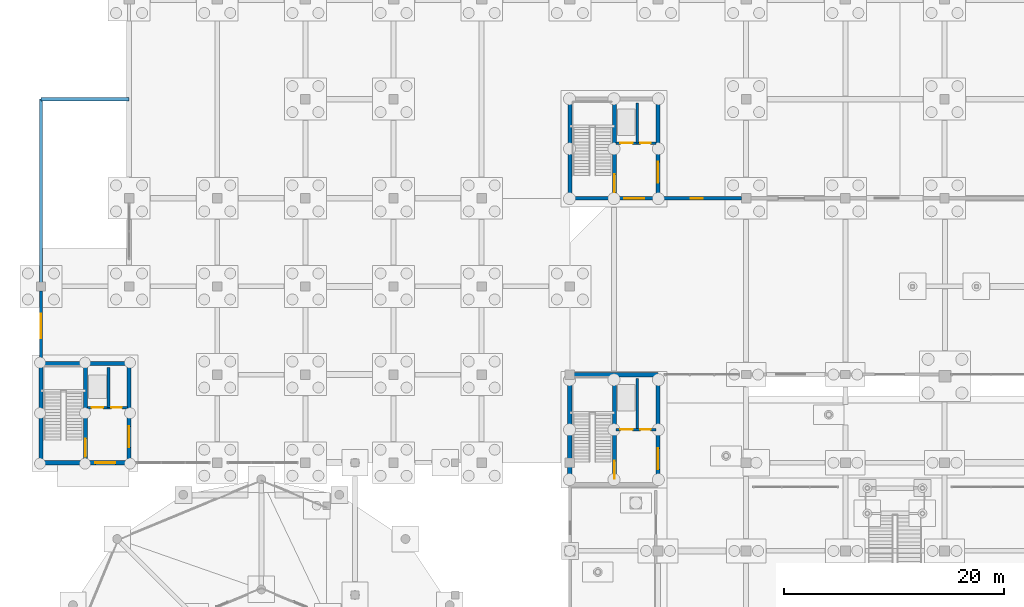
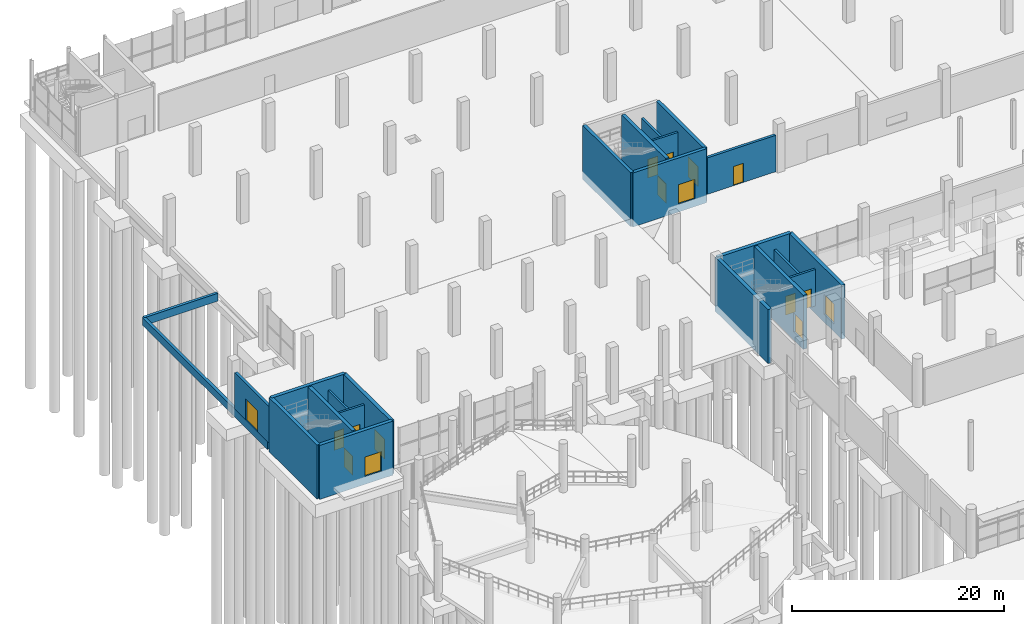
# One storey, part 75 of 98: 23 walls, 16 doors, 16 openings.
"""IFC4 building model written with IfcOpenShell, lengths in metres."""

from ifc_helpers import new_model, si_unit, derived_unit, direction, frame, frame_2d, origin, place, context, subcontext, project, spatial, rectangle, extrude, material, layer, layer_set, type_object, element, fill, save


model = new_model("IFC4")

# Units and contexts
model_context = context("Model", 3, precision=1e-05, world=origin(), true_north=direction((0.0, 1.0)))
body_context = subcontext(model_context, "Body", "Model", "MODEL_VIEW")
ifc_project = project(units=[si_unit("LENGTHUNIT", "METRE"), si_unit("AREAUNIT", "SQUARE_METRE"), si_unit("VOLUMEUNIT", "CUBIC_METRE"), si_unit("PLANEANGLEUNIT", "RADIAN"), si_unit("MASSUNIT", "GRAM", prefix="KILO"), si_unit("THERMODYNAMICTEMPERATUREUNIT", "KELVIN"), derived_unit("THERMALTRANSMITTANCEUNIT", [(si_unit("POWERUNIT", "WATT"), 1), (si_unit("AREAUNIT", "SQUARE_METRE"), -1), (si_unit("THERMODYNAMICTEMPERATUREUNIT", "KELVIN"), -1)])], contexts=[model_context])

# Site, building, storey
site_placement = place(None, origin())
site = spatial("IfcSite", under=ifc_project, at=site_placement, CompositionType="ELEMENT")
building_placement = place(site_placement, origin())
building = spatial("IfcBuilding", under=site, at=building_placement, Name="Haiyu Intermodal Mobility Hub", CompositionType="ELEMENT")
storey_placement = place(building_placement, origin())
storey = spatial("IfcBuildingStorey", under=building, at=storey_placement, Name="L00", CompositionType="ELEMENT", Elevation=0.0)

# Walls
ifc_material_1 = material(Name="Precast concrete C40", Category="concrete")
ifc_layer_1 = layer(ifc_material_1, 0.300048828125)
ifc_layer_set_1 = layer_set([ifc_layer_1], Name="Precast concrete C40")
wall_type_1 = type_object("IfcWallType", Name="WAL-WE01", PredefinedType="STANDARD", material=ifc_layer_set_1)
wall_1_placement = place(storey_placement, frame((14.0, 89.39990234375, -0.89990234375), z_axis=(0.0, 0.0, 1.0), x_axis=(0.0, 1.0, 0.0)))
element("IfcWall", 1, at=wall_1_placement, inside=storey, type_object=wall_type_1, Name="Flood Plinth Retaining Wall PLN-W1B", PredefinedType="STANDARD", context=body_context, shape_type="SweptSolid", body=[
    extrude(rectangle(XDim=23.60009765625, YDim=0.300048828125, at=frame_2d((11.800048828125, 0.0))), origin(), (0.0, 0.0, 1.0), 0.89990234375),
])
wall_2_placement = place(storey_placement, frame((14.0, 113.0, -0.89990234375), z_axis=(0.0, 0.0, 1.0), x_axis=(1.0, 0.0, 0.0)))
element("IfcWall", 2, at=wall_2_placement, inside=storey, type_object=wall_type_1, Name="Flood Plinth Retaining Wall PLN-WN1", PredefinedType="STANDARD", context=body_context, shape_type="SweptSolid", body=[
    extrude(rectangle(XDim=8.0, YDim=0.300048828125, at=frame_2d((4.0, 0.0))), origin(), (0.0, 0.0, 1.0), 0.89990234375),
])

# Wall, opening, door
ifc_material_2 = material(Name="Anodised aluminium 6063-T6", Category="aluminium")
ifc_layer_2 = layer(ifc_material_2, 0.280029296875)
ifc_layer_set_2 = layer_set([ifc_layer_2], Name="Anodised aluminium 6063-T6")
wall_type_2 = type_object("IfcWallType", Name="WAL-WE02", PredefinedType="STANDARD", material=ifc_layer_set_2)
wall_3_placement = place(storey_placement, frame((14.0, 95.594970703125, 0.0), z_axis=(0.0, 0.0, 1.0), x_axis=(0.0, -1.0, 0.0)))
wall_3 = element("IfcWall", 3, at=wall_3_placement, inside=storey, type_object=wall_type_2, Name="WAL-V4WW-L00-095", PredefinedType="STANDARD", context=body_context, shape_type="SweptSolid", body=[
    extrude(rectangle(XDim=6.455078125, YDim=0.280029296875, at=frame_2d((3.2275390625, 0.0))), origin(), (0.0, 0.0, 1.0), 4.199951171875),
])
opening_1_placement = place(wall_3_placement, frame((2.094970703125, 0.0, 0.0)))
opening_1 = element("IfcOpeningElement", 4, at=opening_1_placement, cuts=wall_3, Name="Opening DE02", PredefinedType="OPENING", context=body_context, shape_type="SweptSolid", body=[
    extrude(rectangle(XDim=2.199951171875, YDim=2.39990234375, at=frame_2d((1.10009765625, 1.199951171875))), frame((0.0, 0.14990234375, 0.0), z_axis=(0.0, -1.0, 0.0), x_axis=(1.0, 0.0, 0.0)), (0.0, 0.0, 1.0), 0.300048828125),
])
door_type_1 = type_object("IfcDoorType", Name="DR-DE02", OperationType="DOUBLE_DOOR_SLIDING", PredefinedType="DOOR", material=ifc_material_2)
door_1_placement = place(opening_1_placement, origin())
door_1 = element("IfcDoor", 5, at=door_1_placement, inside=storey, type_object=door_type_1, Name="WAL-V4WW-L00-095-DR01", OperationType="SINGLE_SWING_LEFT", OverallHeight=2.39990234375, OverallWidth=2.199951171875, PredefinedType="DOOR", context=body_context, shape_type="SweptSolid", body=[
    extrude(rectangle(XDim=2.199951171875, YDim=2.39990234375, at=frame_2d((1.10009765625, 1.199951171875))), frame((0.0, 0.02490234375, 0.0), z_axis=(0.0, -1.0, 0.0), x_axis=(1.0, 0.0, 0.0)), (0.0, 0.0, 1.0), 0.050048828125),
])
fill(opening_1, door_1)

wall_4_placement = place(storey_placement, frame((70.139892578125, 104.0, 0.0), z_axis=(0.0, 0.0, 1.0), x_axis=(1.0, 0.0, 0.0)))
wall_4 = element("IfcWall", 6, at=wall_4_placement, inside=storey, type_object=wall_type_2, Name="WAL-V4S-L00-108", PredefinedType="STANDARD", context=body_context, shape_type="SweptSolid", body=[
    extrude(rectangle(XDim=7.455078125, YDim=0.280029296875, at=frame_2d((3.7275390625, 0.0))), origin(), (0.0, 0.0, 1.0), 4.199951171875),
])
opening_2_placement = place(wall_4_placement, frame((2.81005859375, 0.0, 0.0)))
opening_2 = element("IfcOpeningElement", 7, at=opening_2_placement, cuts=wall_4, Name="Opening DE06", PredefinedType="OPENING", context=body_context, shape_type="SweptSolid", body=[
    extrude(rectangle(XDim=1.10009765625, YDim=2.199951171875, at=frame_2d((0.550048828125, 1.10009765625))), frame((0.0, 0.14990234375, 0.0), z_axis=(0.0, -1.0, 0.0), x_axis=(1.0, 0.0, 0.0)), (0.0, 0.0, 1.0), 0.300048828125),
])
door_type_2 = type_object("IfcDoorType", Name="DR-DE06", OperationType="NOTDEFINED", PredefinedType="DOOR", material=ifc_material_2)
door_2_placement = place(opening_2_placement, origin())
door_2 = element("IfcDoor", 8, at=door_2_placement, inside=storey, type_object=door_type_2, Name="WAL-V4S-L00-108-DR01", OperationType="ROLLINGUP", OverallHeight=2.199951171875, OverallWidth=1.10009765625, PredefinedType="DOOR", context=body_context, shape_type="SweptSolid", body=[
    extrude(rectangle(XDim=1.10009765625, YDim=2.199951171875, at=frame_2d((0.550048828125, 1.10009765625))), frame((0.0, 0.02490234375, 0.0), z_axis=(0.0, -1.0, 0.0), x_axis=(1.0, 0.0, 0.0)), (0.0, 0.0, 1.0), 0.050048828125),
])
fill(opening_2, door_2)

# Wall
ifc_material_3 = material(Name="Autoclaved aerated concrete block A5.0", Category="concrete")
ifc_layer_3 = layer(ifc_material_3, 0.22998046875)
ifc_layer_set_3 = layer_set([ifc_layer_3], Name="Autoclaved aerated concrete block A5.0")
wall_type_3 = type_object("IfcWallType", Name="WAL-WI01", PredefinedType="PARTITIONING", material=ifc_layer_set_3)
wall_5_placement = place(storey_placement, frame((68.1298828125, 83.0, 0.0), z_axis=(0.0, 0.0, 1.0), x_axis=(0.0, 1.0, 0.0)))
element("IfcWall", 9, at=wall_5_placement, inside=storey, type_object=wall_type_3, Name="WAL-CORE-C1-LSH-L00", PredefinedType="PARTITIONING", context=body_context, shape_type="SweptSolid", body=[
    extrude(rectangle(XDim=4.64990234375, YDim=0.22998046875, at=frame_2d((2.324951171875, 0.0))), origin(), (0.0, 0.0, 1.0), 4.199951171875),
])

# Wall, openings, doors
wall_6_placement = place(storey_placement, frame((66.2099609375, 83.0, 0.0), z_axis=(0.0, 0.0, 1.0), x_axis=(1.0, 0.0, 0.0)))
wall_6 = element("IfcWall", 10, at=wall_6_placement, inside=storey, type_object=wall_type_3, Name="WAL-CORE-C1-LFT-L00", PredefinedType="PARTITIONING", context=body_context, shape_type="SweptSolid", body=[
    extrude(rectangle(XDim=3.630126953125, YDim=0.22998046875, at=frame_2d((1.81494140625, 0.0))), origin(), (0.0, 0.0, 1.0), 4.199951171875),
])
opening_3_placement = place(wall_6_placement, frame((0.3798828125, 0.0, 0.0)))
opening_3 = element("IfcOpeningElement", 11, at=opening_3_placement, cuts=wall_6, Name="Opening LD01", PredefinedType="OPENING", context=body_context, shape_type="SweptSolid", body=[
    extrude(rectangle(XDim=1.10009765625, YDim=2.14990234375, at=frame_2d((0.550048828125, 1.074951171875))), frame((0.0, 0.125, 0.0), z_axis=(0.0, -1.0, 0.0), x_axis=(1.0, 0.0, 0.0)), (0.0, 0.0, 1.0), 0.25),
])
opening_4_placement = place(wall_6_placement, frame((2.179931640625, 0.0, 0.0)))
opening_4 = element("IfcOpeningElement", 12, at=opening_4_placement, cuts=wall_6, Name="Opening DI07", PredefinedType="OPENING", context=body_context, shape_type="SweptSolid", body=[
    extrude(rectangle(XDim=0.949951171875, YDim=2.10009765625, at=frame_2d((0.47509765625, 1.050048828125))), frame((0.0, 0.125, 0.0), z_axis=(0.0, -1.0, 0.0), x_axis=(1.0, 0.0, 0.0)), (0.0, 0.0, 1.0), 0.25),
])
ifc_material_4 = material(Name="Steel Q355C", Category="steel")
door_type_3 = type_object("IfcDoorType", Name="DR-DI07", OperationType="NOTDEFINED", PredefinedType="DOOR", material=ifc_material_4)
door_3_placement = place(opening_4_placement, origin())
door_3 = element("IfcDoor", 13, at=door_3_placement, inside=storey, type_object=door_type_3, Name="Core C1 Accessible WC Door L00", OperationType="SINGLE_SWING_RIGHT", OverallHeight=2.10009765625, OverallWidth=0.949951171875, PredefinedType="DOOR", context=body_context, shape_type="SweptSolid", body=[
    extrude(rectangle(XDim=0.949951171875, YDim=2.10009765625, at=frame_2d((0.47509765625, 1.050048828125))), frame((0.0, 0.02490234375, 0.0), z_axis=(0.0, -1.0, 0.0), x_axis=(1.0, 0.0, 0.0)), (0.0, 0.0, 1.0), 0.050048828125),
])
fill(opening_4, door_3)
door_type_4 = type_object("IfcDoorType", Name="DR-LD01", OperationType="DOUBLE_DOOR_SLIDING", PredefinedType="DOOR", material=ifc_material_4)
door_4_placement = place(opening_3_placement, origin())
door_4 = element("IfcDoor", 14, at=door_4_placement, inside=storey, type_object=door_type_4, Name="Lift FL-01 Sliding Landing Door L00", OperationType="SLIDING_TO_LEFT", OverallHeight=2.14990234375, OverallWidth=1.10009765625, PredefinedType="DOOR", context=body_context, shape_type="SweptSolid", body=[
    extrude(rectangle(XDim=1.10009765625, YDim=2.14990234375, at=frame_2d((0.550048828125, 1.074951171875))), frame((0.0, 0.02490234375, 0.0), z_axis=(0.0, -1.0, 0.0), x_axis=(1.0, 0.0, 0.0)), (0.0, 0.0, 1.0), 0.050048828125),
])
fill(opening_3, door_4)

# Wall
wall_7_placement = place(storey_placement, frame((68.1298828125, 109.0, 0.0), z_axis=(0.0, 0.0, 1.0), x_axis=(0.0, 1.0, 0.0)))
element("IfcWall", 15, at=wall_7_placement, inside=storey, type_object=wall_type_3, Name="WAL-CORE-C5-LSH-L00", PredefinedType="PARTITIONING", context=body_context, shape_type="SweptSolid", body=[
    extrude(rectangle(XDim=3.64990234375, YDim=0.22998046875, at=frame_2d((1.824951171875, 0.0))), origin(), (0.0, 0.0, 1.0), 4.199951171875),
])

# Wall, openings, doors
wall_8_placement = place(storey_placement, frame((66.2099609375, 109.0, 0.0), z_axis=(0.0, 0.0, 1.0), x_axis=(1.0, 0.0, 0.0)))
wall_8 = element("IfcWall", 16, at=wall_8_placement, inside=storey, type_object=wall_type_3, Name="WAL-CORE-C5-LFT-L00", PredefinedType="PARTITIONING", context=body_context, shape_type="SweptSolid", body=[
    extrude(rectangle(XDim=3.630126953125, YDim=0.22998046875, at=frame_2d((1.81494140625, 0.0))), origin(), (0.0, 0.0, 1.0), 4.199951171875),
])
opening_5_placement = place(wall_8_placement, frame((0.3798828125, 0.0, 0.0)))
opening_5 = element("IfcOpeningElement", 17, at=opening_5_placement, cuts=wall_8, Name="Opening LD01", PredefinedType="OPENING", context=body_context, shape_type="SweptSolid", body=[
    extrude(rectangle(XDim=1.10009765625, YDim=2.14990234375, at=frame_2d((0.550048828125, 1.074951171875))), frame((0.0, 0.125, 0.0), z_axis=(0.0, -1.0, 0.0), x_axis=(1.0, 0.0, 0.0)), (0.0, 0.0, 1.0), 0.25),
])
opening_6_placement = place(wall_8_placement, frame((2.179931640625, 0.0, 0.0)))
opening_6 = element("IfcOpeningElement", 18, at=opening_6_placement, cuts=wall_8, Name="Opening DI07", PredefinedType="OPENING", context=body_context, shape_type="SweptSolid", body=[
    extrude(rectangle(XDim=0.949951171875, YDim=2.10009765625, at=frame_2d((0.47509765625, 1.050048828125))), frame((0.0, 0.125, 0.0), z_axis=(0.0, -1.0, 0.0), x_axis=(1.0, 0.0, 0.0)), (0.0, 0.0, 1.0), 0.25),
])
door_5_placement = place(opening_6_placement, origin())
door_5 = element("IfcDoor", 19, at=door_5_placement, inside=storey, type_object=door_type_3, Name="Core C5 Accessible WC Door L00", OperationType="SINGLE_SWING_RIGHT", OverallHeight=2.10009765625, OverallWidth=0.949951171875, PredefinedType="DOOR", context=body_context, shape_type="SweptSolid", body=[
    extrude(rectangle(XDim=0.949951171875, YDim=2.10009765625, at=frame_2d((0.47509765625, 1.050048828125))), frame((0.0, 0.02490234375, 0.0), z_axis=(0.0, -1.0, 0.0), x_axis=(1.0, 0.0, 0.0)), (0.0, 0.0, 1.0), 0.050048828125),
])
fill(opening_6, door_5)
door_6_placement = place(opening_5_placement, origin())
door_6 = element("IfcDoor", 20, at=door_6_placement, inside=storey, type_object=door_type_4, Name="Lift FL-02 Sliding Landing Door L00", OperationType="SLIDING_TO_LEFT", OverallHeight=2.14990234375, OverallWidth=1.10009765625, PredefinedType="DOOR", context=body_context, shape_type="SweptSolid", body=[
    extrude(rectangle(XDim=1.10009765625, YDim=2.14990234375, at=frame_2d((0.550048828125, 1.074951171875))), frame((0.0, 0.02490234375, 0.0), z_axis=(0.0, -1.0, 0.0), x_axis=(1.0, 0.0, 0.0)), (0.0, 0.0, 1.0), 0.050048828125),
])
fill(opening_5, door_6)

# Wall
wall_9_placement = place(storey_placement, frame((20.1298828125, 85.0, 0.0), z_axis=(0.0, 0.0, 1.0), x_axis=(0.0, 1.0, 0.0)))
element("IfcWall", 21, at=wall_9_placement, inside=storey, type_object=wall_type_3, Name="WAL-CORE-C7-LSH-L00", PredefinedType="PARTITIONING", context=body_context, shape_type="SweptSolid", body=[
    extrude(rectangle(XDim=3.64990234375, YDim=0.22998046875, at=frame_2d((1.824951171875, 0.0))), origin(), (0.0, 0.0, 1.0), 4.199951171875),
])

# Wall, openings, doors
wall_10_placement = place(storey_placement, frame((18.2099609375, 85.0, 0.0), z_axis=(0.0, 0.0, 1.0), x_axis=(1.0, 0.0, 0.0)))
wall_10 = element("IfcWall", 22, at=wall_10_placement, inside=storey, type_object=wall_type_3, Name="WAL-CORE-C7-LFT-L00", PredefinedType="PARTITIONING", context=body_context, shape_type="SweptSolid", body=[
    extrude(rectangle(XDim=3.630126953125, YDim=0.22998046875, at=frame_2d((1.81494140625, 0.0))), origin(), (0.0, 0.0, 1.0), 4.199951171875),
])
opening_7_placement = place(wall_10_placement, frame((0.3798828125, 0.0, 0.0)))
opening_7 = element("IfcOpeningElement", 23, at=opening_7_placement, cuts=wall_10, Name="Opening LD02", PredefinedType="OPENING", context=body_context, shape_type="SweptSolid", body=[
    extrude(rectangle(XDim=1.050048828125, YDim=2.14990234375, at=frame_2d((0.52490234375, 1.074951171875))), frame((0.0, 0.125, 0.0), z_axis=(0.0, -1.0, 0.0), x_axis=(1.0, 0.0, 0.0)), (0.0, 0.0, 1.0), 0.25),
])
opening_8_placement = place(wall_10_placement, frame((2.179931640625, 0.0, 0.0)))
opening_8 = element("IfcOpeningElement", 24, at=opening_8_placement, cuts=wall_10, Name="Opening DI07", PredefinedType="OPENING", context=body_context, shape_type="SweptSolid", body=[
    extrude(rectangle(XDim=0.949951171875, YDim=2.10009765625, at=frame_2d((0.47509765625, 1.050048828125))), frame((0.0, 0.125, 0.0), z_axis=(0.0, -1.0, 0.0), x_axis=(1.0, 0.0, 0.0)), (0.0, 0.0, 1.0), 0.25),
])
door_7_placement = place(opening_8_placement, origin())
door_7 = element("IfcDoor", 25, at=door_7_placement, inside=storey, type_object=door_type_3, Name="Core C7 Accessible WC Door L00", OperationType="SINGLE_SWING_RIGHT", OverallHeight=2.10009765625, OverallWidth=0.949951171875, PredefinedType="DOOR", context=body_context, shape_type="SweptSolid", body=[
    extrude(rectangle(XDim=0.949951171875, YDim=2.10009765625, at=frame_2d((0.47509765625, 1.050048828125))), frame((0.0, 0.02490234375, 0.0), z_axis=(0.0, -1.0, 0.0), x_axis=(1.0, 0.0, 0.0)), (0.0, 0.0, 1.0), 0.050048828125),
])
fill(opening_8, door_7)
door_type_5 = type_object("IfcDoorType", Name="DR-LD02", OperationType="DOUBLE_DOOR_SLIDING", PredefinedType="DOOR", material=ifc_material_4)
door_8_placement = place(opening_7_placement, origin())
door_8 = element("IfcDoor", 26, at=door_8_placement, inside=storey, type_object=door_type_5, Name="Lift PL-02 Sliding Landing Door L00", OperationType="SLIDING_TO_LEFT", OverallHeight=2.14990234375, OverallWidth=1.050048828125, PredefinedType="DOOR", context=body_context, shape_type="SweptSolid", body=[
    extrude(rectangle(XDim=1.050048828125, YDim=2.14990234375, at=frame_2d((0.52490234375, 1.074951171875))), frame((0.0, 0.02490234375, 0.0), z_axis=(0.0, -1.0, 0.0), x_axis=(1.0, 0.0, 0.0)), (0.0, 0.0, 1.0), 0.050048828125),
])
fill(opening_7, door_8)

# Wall, opening, door
ifc_material_5 = material(Name="Concrete C40", Category="concrete")
ifc_layer_4 = layer(ifc_material_5, 0.39990234375)
ifc_layer_set_4 = layer_set([ifc_layer_4], Name="Concrete C40")
wall_type_4 = type_object("IfcWallType", Name="WAL-WS01", PredefinedType="SHEAR", material=ifc_layer_set_4)
wall_11_placement = place(storey_placement, frame((70.0, 78.0, -0.89990234375), z_axis=(0.0, 0.0, 1.0), x_axis=(0.0, 1.0, 0.0)))
wall_11 = element("IfcWall", 27, at=wall_11_placement, inside=storey, type_object=wall_type_4, Name="WAL-CORE-C1-E-L00", PredefinedType="SHEAR", context=body_context, shape_type="SweptSolid", body=[
    extrude(rectangle(XDim=10.0, YDim=0.39990234375, at=frame_2d((5.0, 0.0))), origin(), (0.0, 0.0, 1.0), 6.219970703125),
])
opening_9_placement = place(wall_11_placement, frame((1.39990234375, 0.0, 0.89990234375)))
opening_9 = element("IfcOpeningElement", 28, at=opening_9_placement, cuts=wall_11, Name="Opening DI01", PredefinedType="OPENING", context=body_context, shape_type="SweptSolid", body=[
    extrude(rectangle(XDim=1.89990234375, YDim=2.300048828125, at=frame_2d((0.949951171875, 1.14990234375))), frame((0.0, 0.2099609375, 0.0), z_axis=(0.0, -1.0, 0.0), x_axis=(1.0, 0.0, 0.0)), (0.0, 0.0, 1.0), 0.419921875),
])
door_type_6 = type_object("IfcDoorType", Name="DR-DI01", OperationType="DOUBLE_DOOR_SINGLE_SWING", PredefinedType="DOOR", material=ifc_material_4)
door_9_placement = place(opening_9_placement, origin())
door_9 = element("IfcDoor", 29, at=door_9_placement, inside=storey, type_object=door_type_6, Name="Core C1 Lobby Fire Door L00", OperationType="SINGLE_SWING_LEFT", OverallHeight=2.300048828125, OverallWidth=1.89990234375, PredefinedType="DOOR", context=body_context, shape_type="SweptSolid", body=[
    extrude(rectangle(XDim=1.89990234375, YDim=2.300048828125, at=frame_2d((0.949951171875, 1.14990234375))), frame((0.0, 0.02490234375, 0.0), z_axis=(0.0, -1.0, 0.0), x_axis=(1.0, 0.0, 0.0)), (0.0, 0.0, 1.0), 0.050048828125),
])
fill(opening_9, door_9)

# Walls
wall_12_placement = place(storey_placement, frame((70.0, 88.0, -0.89990234375), z_axis=(0.0, 0.0, 1.0), x_axis=(-1.0, 0.0, 0.0)))
element("IfcWall", 30, at=wall_12_placement, inside=storey, type_object=wall_type_4, Name="WAL-CORE-C1-N-L00", PredefinedType="SHEAR", context=body_context, shape_type="SweptSolid", body=[
    extrude(rectangle(XDim=8.0, YDim=0.39990234375, at=frame_2d((4.0, 0.0))), origin(), (0.0, 0.0, 1.0), 6.219970703125),
])
wall_13_placement = place(storey_placement, frame((62.0, 88.0, -0.89990234375), z_axis=(0.0, 0.0, 1.0), x_axis=(0.0, -1.0, 0.0)))
element("IfcWall", 31, at=wall_13_placement, inside=storey, type_object=wall_type_4, Name="WAL-CORE-C1-W-L00", PredefinedType="SHEAR", context=body_context, shape_type="SweptSolid", body=[
    extrude(rectangle(XDim=10.0, YDim=0.39990234375, at=frame_2d((5.0, 0.0))), origin(), (0.0, 0.0, 1.0), 6.219970703125),
])

# Wall, opening, door
ifc_layer_5 = layer(ifc_material_5, 0.35009765625)
ifc_layer_set_5 = layer_set([ifc_layer_5], Name="Concrete C40")
wall_type_5 = type_object("IfcWallType", Name="WAL-WS02", PredefinedType="SHEAR", material=ifc_layer_set_5)
wall_14_placement = place(storey_placement, frame((62.0, 104.0, -0.89990234375), z_axis=(0.0, 0.0, 1.0), x_axis=(1.0, 0.0, 0.0)))
wall_14 = element("IfcWall", 32, at=wall_14_placement, inside=storey, type_object=wall_type_5, Name="WAL-CORE-C5-S-L00", PredefinedType="SHEAR", context=body_context, shape_type="SweptSolid", body=[
    extrude(rectangle(XDim=8.0, YDim=0.35009765625, at=frame_2d((4.0, 0.0))), origin(), (0.0, 0.0, 1.0), 6.219970703125),
])
opening_10_placement = place(wall_14_placement, frame((4.949951171875, 0.0, 0.89990234375)))
opening_10 = element("IfcOpeningElement", 33, at=opening_10_placement, cuts=wall_14, Name="Opening DE04", PredefinedType="OPENING", context=body_context, shape_type="SweptSolid", body=[
    extrude(rectangle(XDim=1.800048828125, YDim=2.25, at=frame_2d((0.89990234375, 1.125))), frame((0.0, 0.18505859375, 0.0), z_axis=(0.0, -1.0, 0.0), x_axis=(1.0, 0.0, 0.0)), (0.0, 0.0, 1.0), 0.3701171875),
])
door_type_7 = type_object("IfcDoorType", Name="DR-DE04", OperationType="DOUBLE_DOOR_SINGLE_SWING", PredefinedType="DOOR", material=ifc_material_4)
door_10_placement = place(opening_10_placement, origin())
door_10 = element("IfcDoor", 34, at=door_10_placement, inside=storey, type_object=door_type_7, Name="Core C5 Final Exterior Exit Door L00", OperationType="DOUBLE_SWING_LEFT", OverallHeight=2.25, OverallWidth=1.800048828125, PredefinedType="DOOR", context=body_context, shape_type="SweptSolid", body=[
    extrude(rectangle(XDim=1.800048828125, YDim=2.25, at=frame_2d((0.89990234375, 1.125))), frame((0.0, 0.02490234375, 0.0), z_axis=(0.0, -1.0, 0.0), x_axis=(1.0, 0.0, 0.0)), (0.0, 0.0, 1.0), 0.050048828125),
])
fill(opening_10, door_10)

wall_15_placement = place(storey_placement, frame((70.0, 104.0, -0.89990234375), z_axis=(0.0, 0.0, 1.0), x_axis=(0.0, 1.0, 0.0)))
wall_15 = element("IfcWall", 35, at=wall_15_placement, inside=storey, type_object=wall_type_5, Name="WAL-CORE-C5-E-L00", PredefinedType="SHEAR", context=body_context, shape_type="SweptSolid", body=[
    extrude(rectangle(XDim=9.0, YDim=0.35009765625, at=frame_2d((4.5, 0.0))), origin(), (0.0, 0.0, 1.0), 6.219970703125),
])
opening_11_placement = place(wall_15_placement, frame((1.39990234375, 0.0, 0.89990234375)))
opening_11 = element("IfcOpeningElement", 36, at=opening_11_placement, cuts=wall_15, Name="Opening DI01", PredefinedType="OPENING", context=body_context, shape_type="SweptSolid", body=[
    extrude(rectangle(XDim=1.89990234375, YDim=2.300048828125, at=frame_2d((0.949951171875, 1.14990234375))), frame((0.0, 0.18505859375, 0.0), z_axis=(0.0, -1.0, 0.0), x_axis=(1.0, 0.0, 0.0)), (0.0, 0.0, 1.0), 0.3701171875),
])
door_11_placement = place(opening_11_placement, origin())
door_11 = element("IfcDoor", 37, at=door_11_placement, inside=storey, type_object=door_type_6, Name="Core C5 Lobby Fire Door L00", OperationType="SINGLE_SWING_LEFT", OverallHeight=2.300048828125, OverallWidth=1.89990234375, PredefinedType="DOOR", context=body_context, shape_type="SweptSolid", body=[
    extrude(rectangle(XDim=1.89990234375, YDim=2.300048828125, at=frame_2d((0.949951171875, 1.14990234375))), frame((0.0, 0.02490234375, 0.0), z_axis=(0.0, -1.0, 0.0), x_axis=(1.0, 0.0, 0.0)), (0.0, 0.0, 1.0), 0.050048828125),
])
fill(opening_11, door_11)

# Wall
wall_16_placement = place(storey_placement, frame((62.0, 113.0, -0.89990234375), z_axis=(0.0, 0.0, 1.0), x_axis=(0.0, -1.0, 0.0)))
element("IfcWall", 38, at=wall_16_placement, inside=storey, type_object=wall_type_5, Name="WAL-CORE-C5-W-L00", PredefinedType="SHEAR", context=body_context, shape_type="SweptSolid", body=[
    extrude(rectangle(XDim=9.0, YDim=0.35009765625, at=frame_2d((4.5, 0.0))), origin(), (0.0, 0.0, 1.0), 6.219970703125),
])

# Wall, opening, door
ifc_layer_6 = layer(ifc_material_5, 0.3798828125)
ifc_layer_set_6 = layer_set([ifc_layer_6], Name="Concrete C40")
wall_type_6 = type_object("IfcWallType", Name="WAL-WS03", PredefinedType="SHEAR", material=ifc_layer_set_6)
wall_17_placement = place(storey_placement, frame((66.050048828125, 78.35009765625, -0.89990234375), z_axis=(0.0, 0.0, 1.0), x_axis=(0.0, 1.0, 0.0)))
wall_17 = element("IfcWall", 39, at=wall_17_placement, inside=storey, type_object=wall_type_6, Name="WAL-CORE-C1-MID-L00", PredefinedType="SHEAR", context=body_context, shape_type="SweptSolid", body=[
    extrude(rectangle(XDim=9.2998046875, YDim=0.3798828125, at=frame_2d((4.64990234375, 0.0))), origin(), (0.0, 0.0, 1.0), 6.219970703125),
])
opening_12_placement = place(wall_17_placement, frame((0.179931640625, 0.0, 0.89990234375)))
opening_12 = element("IfcOpeningElement", 40, at=opening_12_placement, cuts=wall_17, Name="Opening DI02", PredefinedType="OPENING", context=body_context, shape_type="SweptSolid", body=[
    extrude(rectangle(XDim=1.64990234375, YDim=2.199951171875, at=frame_2d((0.824951171875, 1.10009765625))), frame((0.0, 0.199951171875, 0.0), z_axis=(0.0, -1.0, 0.0), x_axis=(1.0, 0.0, 0.0)), (0.0, 0.0, 1.0), 0.39990234375),
])
door_type_8 = type_object("IfcDoorType", Name="DR-DI02", OperationType="DOUBLE_DOOR_SINGLE_SWING", PredefinedType="DOOR", material=ifc_material_4)
door_12_placement = place(opening_12_placement, origin())
door_12 = element("IfcDoor", 41, at=door_12_placement, inside=storey, type_object=door_type_8, Name="Stair ST01 Fire Door L00", OperationType="SINGLE_SWING_LEFT", OverallHeight=2.199951171875, OverallWidth=1.64990234375, PredefinedType="DOOR", context=body_context, shape_type="SweptSolid", body=[
    extrude(rectangle(XDim=1.64990234375, YDim=2.199951171875, at=frame_2d((0.824951171875, 1.10009765625))), frame((0.0, 0.02490234375, 0.0), z_axis=(0.0, -1.0, 0.0), x_axis=(1.0, 0.0, 0.0)), (0.0, 0.0, 1.0), 0.050048828125),
])
fill(opening_12, door_12)

wall_18_placement = place(storey_placement, frame((66.050048828125, 104.35009765625, -0.89990234375), z_axis=(0.0, 0.0, 1.0), x_axis=(0.0, 1.0, 0.0)))
wall_18 = element("IfcWall", 42, at=wall_18_placement, inside=storey, type_object=wall_type_6, Name="WAL-CORE-C5-MID-L00", PredefinedType="SHEAR", context=body_context, shape_type="SweptSolid", body=[
    extrude(rectangle(XDim=8.2998046875, YDim=0.3798828125, at=frame_2d((4.14990234375, 0.0))), origin(), (0.0, 0.0, 1.0), 6.219970703125),
])
opening_13_placement = place(wall_18_placement, frame((0.179931640625, 0.0, 0.89990234375)))
opening_13 = element("IfcOpeningElement", 43, at=opening_13_placement, cuts=wall_18, Name="Opening DI02", PredefinedType="OPENING", context=body_context, shape_type="SweptSolid", body=[
    extrude(rectangle(XDim=1.64990234375, YDim=2.199951171875, at=frame_2d((0.824951171875, 1.10009765625))), frame((0.0, 0.199951171875, 0.0), z_axis=(0.0, -1.0, 0.0), x_axis=(1.0, 0.0, 0.0)), (0.0, 0.0, 1.0), 0.39990234375),
])
door_13_placement = place(opening_13_placement, origin())
door_13 = element("IfcDoor", 44, at=door_13_placement, inside=storey, type_object=door_type_8, Name="Stair ST01 Fire Door L00", OperationType="SINGLE_SWING_LEFT", OverallHeight=2.199951171875, OverallWidth=1.64990234375, PredefinedType="DOOR", context=body_context, shape_type="SweptSolid", body=[
    extrude(rectangle(XDim=1.64990234375, YDim=2.199951171875, at=frame_2d((0.824951171875, 1.10009765625))), frame((0.0, 0.02490234375, 0.0), z_axis=(0.0, -1.0, 0.0), x_axis=(1.0, 0.0, 0.0)), (0.0, 0.0, 1.0), 0.050048828125),
])
fill(opening_13, door_13)

wall_19_placement = place(storey_placement, frame((14.0, 80.0, -0.89990234375), z_axis=(0.0, 0.0, 1.0), x_axis=(1.0, 0.0, 0.0)))
wall_19 = element("IfcWall", 45, at=wall_19_placement, inside=storey, type_object=wall_type_6, Name="WAL-CORE-C7-S-L00", PredefinedType="SHEAR", context=body_context, shape_type="SweptSolid", body=[
    extrude(rectangle(XDim=8.0, YDim=0.3798828125, at=frame_2d((4.0, 0.0))), origin(), (0.0, 0.0, 1.0), 6.219970703125),
])
opening_14_placement = place(wall_19_placement, frame((4.949951171875, 0.0, 0.89990234375)))
opening_14 = element("IfcOpeningElement", 46, at=opening_14_placement, cuts=wall_19, Name="Opening DE04", PredefinedType="OPENING", context=body_context, shape_type="SweptSolid", body=[
    extrude(rectangle(XDim=1.800048828125, YDim=2.25, at=frame_2d((0.89990234375, 1.125))), frame((0.0, 0.199951171875, 0.0), z_axis=(0.0, -1.0, 0.0), x_axis=(1.0, 0.0, 0.0)), (0.0, 0.0, 1.0), 0.39990234375),
])
door_14_placement = place(opening_14_placement, origin())
door_14 = element("IfcDoor", 47, at=door_14_placement, inside=storey, type_object=door_type_7, Name="Core C7 Final Exterior Exit Door L00", OperationType="DOUBLE_SWING_LEFT", OverallHeight=2.25, OverallWidth=1.800048828125, PredefinedType="DOOR", context=body_context, shape_type="SweptSolid", body=[
    extrude(rectangle(XDim=1.800048828125, YDim=2.25, at=frame_2d((0.89990234375, 1.125))), frame((0.0, 0.02490234375, 0.0), z_axis=(0.0, -1.0, 0.0), x_axis=(1.0, 0.0, 0.0)), (0.0, 0.0, 1.0), 0.050048828125),
])
fill(opening_14, door_14)

wall_20_placement = place(storey_placement, frame((22.0, 80.0, -0.89990234375), z_axis=(0.0, 0.0, 1.0), x_axis=(0.0, 1.0, 0.0)))
wall_20 = element("IfcWall", 48, at=wall_20_placement, inside=storey, type_object=wall_type_6, Name="WAL-CORE-C7-E-L00", PredefinedType="SHEAR", context=body_context, shape_type="SweptSolid", body=[
    extrude(rectangle(XDim=9.0, YDim=0.3798828125, at=frame_2d((4.5, 0.0))), origin(), (0.0, 0.0, 1.0), 6.219970703125),
])
opening_15_placement = place(wall_20_placement, frame((1.39990234375, 0.0, 0.89990234375)))
opening_15 = element("IfcOpeningElement", 49, at=opening_15_placement, cuts=wall_20, Name="Opening DI01", PredefinedType="OPENING", context=body_context, shape_type="SweptSolid", body=[
    extrude(rectangle(XDim=1.89990234375, YDim=2.300048828125, at=frame_2d((0.949951171875, 1.14990234375))), frame((0.0, 0.199951171875, 0.0), z_axis=(0.0, -1.0, 0.0), x_axis=(1.0, 0.0, 0.0)), (0.0, 0.0, 1.0), 0.39990234375),
])
door_15_placement = place(opening_15_placement, origin())
door_15 = element("IfcDoor", 50, at=door_15_placement, inside=storey, type_object=door_type_6, Name="Core C7 Lobby Fire Door L00", OperationType="SINGLE_SWING_LEFT", OverallHeight=2.300048828125, OverallWidth=1.89990234375, PredefinedType="DOOR", context=body_context, shape_type="SweptSolid", body=[
    extrude(rectangle(XDim=1.89990234375, YDim=2.300048828125, at=frame_2d((0.949951171875, 1.14990234375))), frame((0.0, 0.02490234375, 0.0), z_axis=(0.0, -1.0, 0.0), x_axis=(1.0, 0.0, 0.0)), (0.0, 0.0, 1.0), 0.050048828125),
])
fill(opening_15, door_15)

# Walls
wall_21_placement = place(storey_placement, frame((22.0, 89.0, -0.89990234375), z_axis=(0.0, 0.0, 1.0), x_axis=(-1.0, 0.0, 0.0)))
element("IfcWall", 51, at=wall_21_placement, inside=storey, type_object=wall_type_6, Name="WAL-CORE-C7-N-L00", PredefinedType="SHEAR", context=body_context, shape_type="SweptSolid", body=[
    extrude(rectangle(XDim=8.0, YDim=0.3798828125, at=frame_2d((4.0, 0.0))), origin(), (0.0, 0.0, 1.0), 6.219970703125),
])
wall_22_placement = place(storey_placement, frame((14.0, 89.0, -0.89990234375), z_axis=(0.0, 0.0, 1.0), x_axis=(0.0, -1.0, 0.0)))
element("IfcWall", 52, at=wall_22_placement, inside=storey, type_object=wall_type_6, Name="WAL-CORE-C7-W-L00", PredefinedType="SHEAR", context=body_context, shape_type="SweptSolid", body=[
    extrude(rectangle(XDim=9.0, YDim=0.3798828125, at=frame_2d((4.5, 0.0))), origin(), (0.0, 0.0, 1.0), 6.219970703125),
])

# Wall, opening, door
wall_23_placement = place(storey_placement, frame((18.050048828125, 80.35009765625, -0.89990234375), z_axis=(0.0, 0.0, 1.0), x_axis=(0.0, 1.0, 0.0)))
wall_23 = element("IfcWall", 53, at=wall_23_placement, inside=storey, type_object=wall_type_6, Name="WAL-CORE-C7-MID-L00", PredefinedType="SHEAR", context=body_context, shape_type="SweptSolid", body=[
    extrude(rectangle(XDim=8.2998046875, YDim=0.3798828125, at=frame_2d((4.14990234375, 0.0))), origin(), (0.0, 0.0, 1.0), 6.219970703125),
])
opening_16_placement = place(wall_23_placement, frame((0.179931640625, 0.0, 0.89990234375)))
opening_16 = element("IfcOpeningElement", 54, at=opening_16_placement, cuts=wall_23, Name="Opening DI02", PredefinedType="OPENING", context=body_context, shape_type="SweptSolid", body=[
    extrude(rectangle(XDim=1.64990234375, YDim=2.199951171875, at=frame_2d((0.824951171875, 1.10009765625))), frame((0.0, 0.199951171875, 0.0), z_axis=(0.0, -1.0, 0.0), x_axis=(1.0, 0.0, 0.0)), (0.0, 0.0, 1.0), 0.39990234375),
])
door_16_placement = place(opening_16_placement, origin())
door_16 = element("IfcDoor", 55, at=door_16_placement, inside=storey, type_object=door_type_8, Name="Stair ST02 Fire Door L00", OperationType="SINGLE_SWING_LEFT", OverallHeight=2.199951171875, OverallWidth=1.64990234375, PredefinedType="DOOR", context=body_context, shape_type="SweptSolid", body=[
    extrude(rectangle(XDim=1.64990234375, YDim=2.199951171875, at=frame_2d((0.824951171875, 1.10009765625))), frame((0.0, 0.02490234375, 0.0), z_axis=(0.0, -1.0, 0.0), x_axis=(1.0, 0.0, 0.0)), (0.0, 0.0, 1.0), 0.050048828125),
])
fill(opening_16, door_16)

save(model, "model.ifc")
